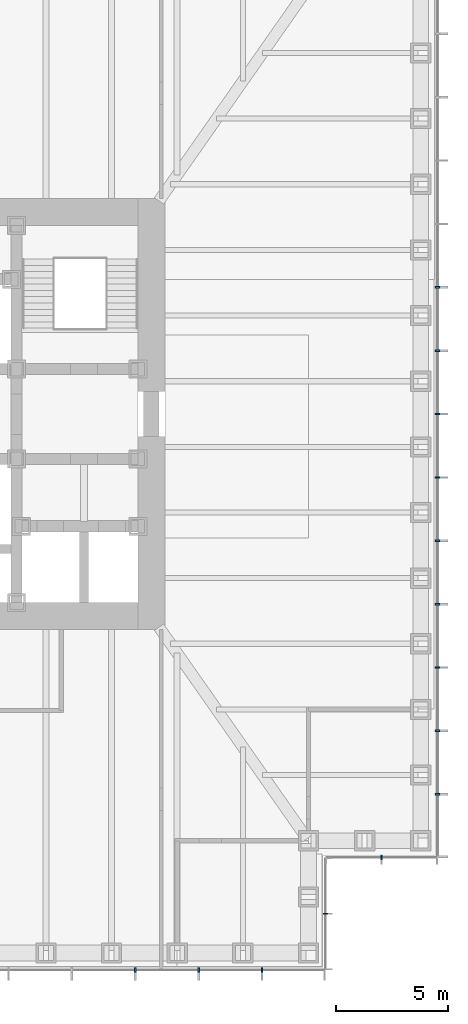
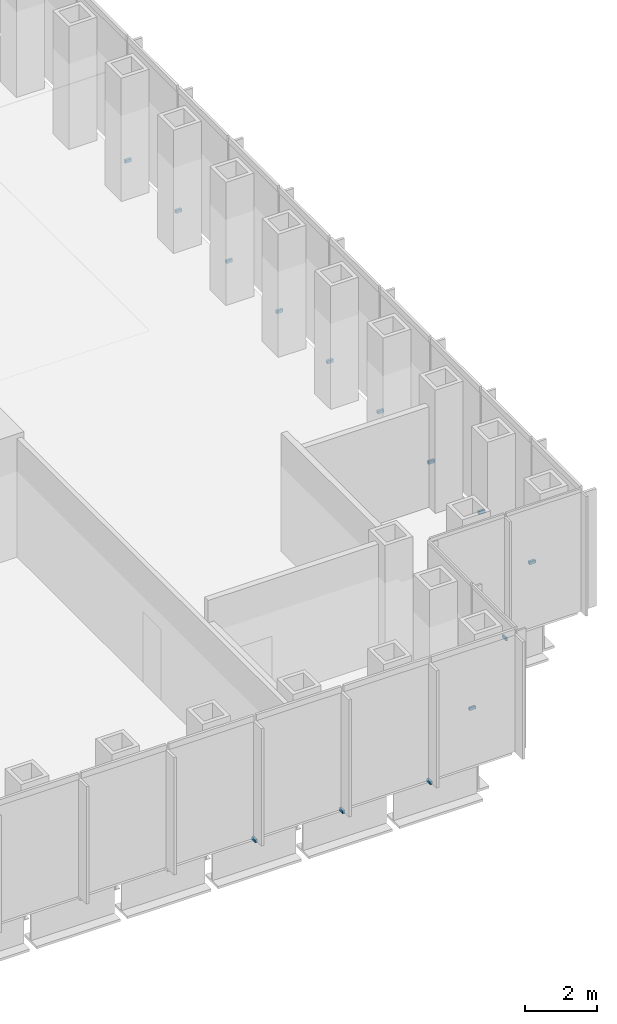
# One storey, part 13 of 16: 14 discrete accessories.
"""IFC4 building model written with IfcOpenShell, lengths in metres."""

from ifc_helpers import new_model, si_unit, direction, frame, origin, origin_2d, place, context, subcontext, project, spatial, rectangle, extrude, element, save


model = new_model("IFC4")

# Units and contexts
model_context = context("Model", 3, precision=1e-05, world=origin(), true_north=direction((0.0, 1.0)))
body_context = subcontext(model_context, "Body", "Model", "MODEL_VIEW")
ifc_project = project(units=[si_unit("LENGTHUNIT", "METRE"), si_unit("AREAUNIT", "SQUARE_METRE"), si_unit("VOLUMEUNIT", "CUBIC_METRE"), si_unit("PLANEANGLEUNIT", "RADIAN"), si_unit("MASSUNIT", "GRAM", prefix="KILO")], contexts=[model_context])

# Site, building, storey
site_placement = place(None, origin())
site = spatial("IfcSite", under=ifc_project, at=site_placement, CompositionType="ELEMENT")
building_placement = place(site_placement, origin())
building = spatial("IfcBuilding", under=site, at=building_placement, Name="Daluyong Arena Tower", CompositionType="ELEMENT")
storey_placement = place(building_placement, frame((0.0, 0.0, 93.699951171875)))
storey = spatial("IfcBuildingStorey", under=building, at=storey_placement, Name="L20", CompositionType="ELEMENT", Elevation=93.699951171875)

# Discrete accessories
for number, where, z_axis, x_axis, name in (
    (1, (67.28564453125, 55.25, -0.10009765625), (0.0, 0.0, 1.0), (1.0, 0.0, 0.0), "curtain wall L20 S anchor bracket 12"),
    (2, (70.107177734375, 55.25, -0.10009765625), (0.0, 0.0, 1.0), (1.0, 0.0, 0.0), "curtain wall L20 S anchor bracket 13"),
    (3, (72.928466796875, 55.25, -0.10009765625), (0.0, 0.0, 1.0), (1.0, 0.0, 0.0), "curtain wall L20 S anchor bracket 14"),
):
    element("IfcDiscreteAccessory", number, at=place(storey_placement, frame(where, z_axis=z_axis, x_axis=x_axis)), inside=storey, Name=name, PredefinedType="BRACKET", context=body_context, shape_type="SweptSolid", body=[
        extrude(rectangle(XDim=0.080078125, YDim=0.199951171875, at=origin_2d()), origin(), (0.0, 0.0, 1.0), 0.10009765625),
    ])
for number, where, z_axis, x_axis, name in (
    (4, (75.75, 57.75, -0.10009765625), (0.0, 0.0, 1.0), (0.0, 1.0, 0.0), "curtain wall L20 SE-E anchor bracket 2"),
    (5, (78.25, 60.25, -0.10009765625), (0.0, 0.0, 1.0), (1.0, 0.0, 0.0), "curtain wall L20 SE-S anchor bracket 2"),
):
    element("IfcDiscreteAccessory", number, at=place(storey_placement, frame(where, z_axis=z_axis, x_axis=x_axis)), inside=storey, Name=name, PredefinedType="BRACKET", context=body_context, shape_type="SweptSolid", body=[
        extrude(rectangle(XDim=0.06005859375, YDim=0.199951171875, at=origin_2d()), origin(), (0.0, 0.0, 1.0), 0.10009765625),
    ])
for number, where, z_axis, x_axis, name in (
    (6, (80.75, 63.071533203125, -0.10009765625), (0.0, 0.0, 1.0), (0.0, 1.0, 0.0), "curtain wall L20 E anchor bracket 2"),
    (7, (80.75, 65.892822265625, -0.10009765625), (0.0, 0.0, 1.0), (0.0, 1.0, 0.0), "curtain wall L20 E anchor bracket 3"),
    (8, (80.75, 68.71435546875, -0.10009765625), (0.0, 0.0, 1.0), (0.0, 1.0, 0.0), "curtain wall L20 E anchor bracket 4"),
    (9, (80.75, 71.53564453125, -0.10009765625), (0.0, 0.0, 1.0), (0.0, 1.0, 0.0), "curtain wall L20 E anchor bracket 5"),
    (10, (80.75, 74.357177734375, -0.10009765625), (0.0, 0.0, 1.0), (0.0, 1.0, 0.0), "curtain wall L20 E anchor bracket 6"),
    (11, (80.75, 77.178466796875, -0.10009765625), (0.0, 0.0, 1.0), (0.0, 1.0, 0.0), "curtain wall L20 E anchor bracket 7"),
    (12, (80.75, 80.0, -0.10009765625), (0.0, 0.0, 1.0), (0.0, 1.0, 0.0), "curtain wall L20 E anchor bracket 8"),
    (13, (80.75, 82.821533203125, -0.10009765625), (0.0, 0.0, 1.0), (0.0, 1.0, 0.0), "curtain wall L20 E anchor bracket 9"),
    (14, (80.75, 85.642822265625, -0.10009765625), (0.0, 0.0, 1.0), (0.0, 1.0, 0.0), "curtain wall L20 E anchor bracket 10"),
):
    element("IfcDiscreteAccessory", number, at=place(storey_placement, frame(where, z_axis=z_axis, x_axis=x_axis)), inside=storey, Name=name, PredefinedType="BRACKET", context=body_context, shape_type="SweptSolid", body=[
        extrude(rectangle(XDim=0.080078125, YDim=0.199951171875, at=origin_2d()), origin(), (0.0, 0.0, 1.0), 0.10009765625),
    ])

save(model, "model.ifc")
